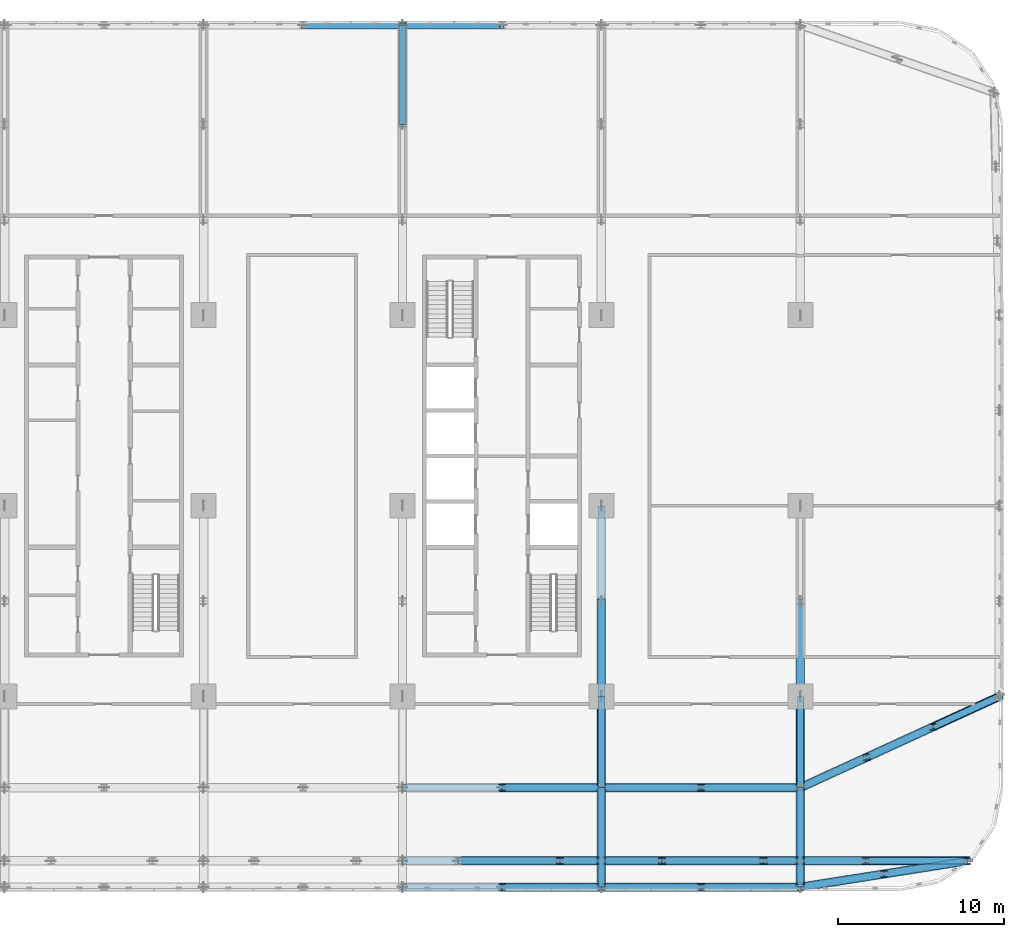
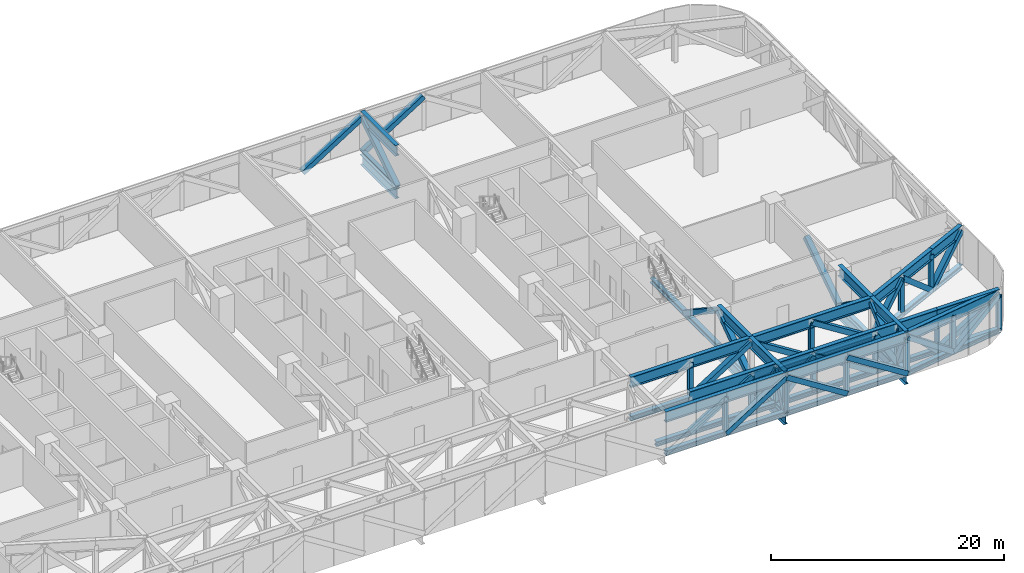
# One storey, part 7 of 26: 76 members, 5 beams.
"""IFC4 building model written with IfcOpenShell, lengths in metres."""

from ifc_helpers import new_model, si_unit, direction, frame, origin, origin_2d, place, context, subcontext, project, spatial, hollow_rectangle, i_section, extrude, material, material_profile, profile_set, type_object, element, save


model = new_model("IFC4")

# Units and contexts
model_context = context("Model", 3, precision=1e-05, world=origin(), true_north=direction((0.0, 1.0)))
body_context = subcontext(model_context, "Body", "Model", "MODEL_VIEW")
ifc_project = project(units=[si_unit("LENGTHUNIT", "METRE"), si_unit("AREAUNIT", "SQUARE_METRE"), si_unit("VOLUMEUNIT", "CUBIC_METRE"), si_unit("PLANEANGLEUNIT", "RADIAN"), si_unit("MASSUNIT", "GRAM", prefix="KILO")], contexts=[model_context])

# Site, building, storey
site_placement = place(None, origin())
site = spatial("IfcSite", under=ifc_project, at=site_placement, CompositionType="ELEMENT")
building_placement = place(site_placement, origin())
building = spatial("IfcBuilding", under=site, at=building_placement, Name="Mahtab Terrace Research Tower", CompositionType="ELEMENT")
storey_placement = place(building_placement, frame((0.0, 0.0, 80.39990234375)))
storey = spatial("IfcBuildingStorey", under=building, at=storey_placement, Name="L18", CompositionType="ELEMENT", Elevation=80.39990234375)

# Members
ifc_material_1 = material(Name="Steel ASTM A500 Gr C", Category="steel")
ifc_material_profile_1 = material_profile(ifc_material_1, hollow_rectangle(XDim=0.508056640625, YDim=0.508056640625, WallThickness=0.01904296875, at=origin_2d()), Name="HSS20X20X3/4")
ifc_profile_set_1 = profile_set([ifc_material_profile_1], Name="Steel ASTM A500 Gr C")
member_type_1 = type_object("IfcMemberType", Name="HSS 20x20x3/4 brace TD202034", PredefinedType="BRACE", material=ifc_profile_set_1)
for number, where, z_axis, x_axis, name in (
    (1, (18.0, 23.0, -0.29345703125), (0.0, 0.845157783708, 0.534516903978), (-1.0, 0.0, 0.0), "Transfer truss T2 diagonal 093"),
    (2, (12.0, 29.0, -0.29345703125), (0.845157783708, 0.0, 0.534516903978), (0.0, 1.0, 0.0), "Transfer truss T2 diagonal 094"),
):
    element("IfcMember", number, at=place(storey_placement, frame(where, z_axis=z_axis, x_axis=x_axis)), inside=storey, type_object=member_type_1, Name=name, PredefinedType="BRACE", context=body_context, shape_type="SweptSolid", body=[
        extrude(hollow_rectangle(XDim=0.508056640625, YDim=0.508056640625, WallThickness=0.01904296875, at=origin_2d()), origin(), (0.0, 0.0, 1.0), 7.099365234375),
    ])
member_1_placement = place(storey_placement, frame((21.35400390625, -21.416015625, -0.29345703125), z_axis=(0.850733959418, 0.0, 0.525596547072), x_axis=(0.0, 1.0, 0.0)))
element("IfcMember", 3, at=member_1_placement, inside=storey, type_object=member_type_1, Name="Transfer truss T2 diagonal 095", PredefinedType="BRACE", context=body_context, shape_type="SweptSolid", body=[
    extrude(hollow_rectangle(XDim=0.508056640625, YDim=0.508056640625, WallThickness=0.01904296875, at=origin_2d()), origin(), (0.0, 0.0, 1.0), 7.2197265625),
])
for number, where, z_axis, x_axis, name in (
    (4, (24.0, -17.0, -0.29345703125), (0.845157783708, 0.0, 0.534516903978), (0.0, 1.0, 0.0), "Transfer truss T2 diagonal 097"),
    (5, (18.0, 29.0, -0.29345703125), (0.845157783708, 0.0, 0.534516903978), (0.0, 1.0, 0.0), "Transfer truss T2 diagonal 098"),
):
    element("IfcMember", number, at=place(storey_placement, frame(where, z_axis=z_axis, x_axis=x_axis)), inside=storey, type_object=member_type_1, Name=name, PredefinedType="BRACE", context=body_context, shape_type="SweptSolid", body=[
        extrude(hollow_rectangle(XDim=0.508056640625, YDim=0.508056640625, WallThickness=0.01904296875, at=origin_2d()), origin(), (0.0, 0.0, 1.0), 7.099365234375),
    ])
member_2_placement = place(storey_placement, frame((27.49609375, -21.416015625, -0.29345703125), z_axis=(0.550753178039, 0.0, 0.834668159737), x_axis=(0.0, 1.0, 0.0)))
element("IfcMember", 6, at=member_2_placement, inside=storey, type_object=member_type_1, Name="Transfer truss T2 diagonal 099", PredefinedType="BRACE", context=body_context, shape_type="SweptSolid", body=[
    extrude(hollow_rectangle(XDim=0.508056640625, YDim=0.508056640625, WallThickness=0.01904296875, at=origin_2d()), origin(), (0.0, 0.0, 1.0), 4.54638671875),
])
member_3_placement = place(storey_placement, frame((24.0, -23.0, -0.29345703125), z_axis=(0.845157783708, 0.0, 0.534516903978), x_axis=(0.0, 1.0, 0.0)))
element("IfcMember", 7, at=member_3_placement, inside=storey, type_object=member_type_1, Name="Transfer truss T2 diagonal 100", PredefinedType="BRACE", context=body_context, shape_type="SweptSolid", body=[
    extrude(hollow_rectangle(XDim=0.508056640625, YDim=0.508056640625, WallThickness=0.01904296875, at=origin_2d()), origin(), (0.0, 0.0, 1.0), 7.099365234375),
])
member_4_placement = place(storey_placement, frame((30.0, -23.0, -0.29345703125), z_axis=(0.0, 0.385209733972, 0.922829052887), x_axis=(-1.0, 0.0, 0.0)))
element("IfcMember", 8, at=member_4_placement, inside=storey, type_object=member_type_1, Name="Transfer truss T2 diagonal 101", PredefinedType="BRACE", context=body_context, shape_type="SweptSolid", body=[
    extrude(hollow_rectangle(XDim=0.508056640625, YDim=0.508056640625, WallThickness=0.01904296875, at=origin_2d()), origin(), (0.0, 0.0, 1.0), 4.112060546875),
])
member_5_placement = place(storey_placement, frame((30.0, -17.0, -0.29345703125), z_axis=(0.0, -0.75844798203, 0.651733579428), x_axis=(1.0, 0.0, 0.0)))
element("IfcMember", 9, at=member_5_placement, inside=storey, type_object=member_type_1, Name="Transfer truss T2 diagonal 102", PredefinedType="BRACE", context=body_context, shape_type="SweptSolid", body=[
    extrude(hollow_rectangle(XDim=0.508056640625, YDim=0.508056640625, WallThickness=0.01904296875, at=origin_2d()), origin(), (0.0, 0.0, 1.0), 5.822509765625),
])
member_6_placement = place(storey_placement, frame((30.0, -21.416015625, -0.29345703125), z_axis=(0.6919447069, 0.0, 0.721950498714), x_axis=(0.0, 1.0, 0.0)))
element("IfcMember", 10, at=member_6_placement, inside=storey, type_object=member_type_1, Name="Transfer truss T2 diagonal 103", PredefinedType="BRACE", context=body_context, shape_type="SweptSolid", body=[
    extrude(hollow_rectangle(XDim=0.508056640625, YDim=0.508056640625, WallThickness=0.01904296875, at=origin_2d()), origin(), (0.0, 0.0, 1.0), 5.256103515625),
])
member_7_placement = place(storey_placement, frame((36.0, -17.0, -0.29345703125), z_axis=(-0.845157783708, 0.0, 0.534516903978), x_axis=(0.0, -1.0, 0.0)))
element("IfcMember", 11, at=member_7_placement, inside=storey, type_object=member_type_1, Name="Transfer truss T2 diagonal 104", PredefinedType="BRACE", context=body_context, shape_type="SweptSolid", body=[
    extrude(hollow_rectangle(XDim=0.508056640625, YDim=0.508056640625, WallThickness=0.01904296875, at=origin_2d()), origin(), (0.0, 0.0, 1.0), 7.099365234375),
])
member_8_placement = place(storey_placement, frame((30.0, -17.0, -0.29345703125), z_axis=(0.0, 0.82310265931, 0.567892606253), x_axis=(-1.0, 0.0, 0.0)))
element("IfcMember", 12, at=member_8_placement, inside=storey, type_object=member_type_1, Name="Transfer truss T2 diagonal 105", PredefinedType="BRACE", context=body_context, shape_type="SweptSolid", body=[
    extrude(hollow_rectangle(XDim=0.508056640625, YDim=0.508056640625, WallThickness=0.01904296875, at=origin_2d()), origin(), (0.0, 0.0, 1.0), 6.68212890625),
])
member_9_placement = place(storey_placement, frame((30.0, -5.75, -0.29345703125), z_axis=(0.0, -0.834630911502, 0.550809623704), x_axis=(1.0, 0.0, 0.0)))
element("IfcMember", 13, at=member_9_placement, inside=storey, type_object=member_type_1, Name="Transfer truss T2 diagonal 106", PredefinedType="BRACE", context=body_context, shape_type="SweptSolid", body=[
    extrude(hollow_rectangle(XDim=0.508056640625, YDim=0.508056640625, WallThickness=0.01904296875, at=origin_2d()), origin(), (0.0, 0.0, 1.0), 6.88916015625),
])
member_10_placement = place(storey_placement, frame((39.779052734375, -21.416015625, -0.29345703125), z_axis=(-0.850733959418, 0.0, 0.525596547072), x_axis=(0.0, -1.0, 0.0)))
element("IfcMember", 14, at=member_10_placement, inside=storey, type_object=member_type_1, Name="Transfer truss T2 diagonal 112", PredefinedType="BRACE", context=body_context, shape_type="SweptSolid", body=[
    extrude(hollow_rectangle(XDim=0.508056640625, YDim=0.508056640625, WallThickness=0.01904296875, at=origin_2d()), origin(), (0.0, 0.0, 1.0), 7.2197265625),
])
for number, where, z_axis, x_axis, name in (
    (15, (36.0, -23.0, -0.29345703125), (-0.845157783708, 0.0, 0.534516903978), (0.0, -1.0, 0.0), "Transfer truss T2 diagonal 113"),
    (16, (42.0, -17.0, -0.29345703125), (-0.845157783708, 0.0, 0.534516903978), (0.0, -1.0, 0.0), "Transfer truss T2 diagonal 114"),
):
    element("IfcMember", number, at=place(storey_placement, frame(where, z_axis=z_axis, x_axis=x_axis)), inside=storey, type_object=member_type_1, Name=name, PredefinedType="BRACE", context=body_context, shape_type="SweptSolid", body=[
        extrude(hollow_rectangle(XDim=0.508056640625, YDim=0.508056640625, WallThickness=0.01904296875, at=origin_2d()), origin(), (0.0, 0.0, 1.0), 7.099365234375),
    ])
member_11_placement = place(storey_placement, frame((42.0, -21.416015625, -0.29345703125), z_axis=(-0.505123723322, 0.0, 0.863046942024), x_axis=(0.0, -1.0, 0.0)))
element("IfcMember", 17, at=member_11_placement, inside=storey, type_object=member_type_1, Name="Transfer truss T2 diagonal 116", PredefinedType="BRACE", context=body_context, shape_type="SweptSolid", body=[
    extrude(hollow_rectangle(XDim=0.508056640625, YDim=0.508056640625, WallThickness=0.01904296875, at=origin_2d()), origin(), (0.0, 0.0, 1.0), 4.396728515625),
])
member_12_placement = place(storey_placement, frame((42.0, -23.0, -0.29345703125), z_axis=(-0.845157783708, 0.0, 0.534516903978), x_axis=(0.0, -1.0, 0.0)))
element("IfcMember", 18, at=member_12_placement, inside=storey, type_object=member_type_1, Name="Transfer truss T2 diagonal 117", PredefinedType="BRACE", context=body_context, shape_type="SweptSolid", body=[
    extrude(hollow_rectangle(XDim=0.508056640625, YDim=0.508056640625, WallThickness=0.01904296875, at=origin_2d()), origin(), (0.0, 0.0, 1.0), 7.099365234375),
])
member_13_placement = place(storey_placement, frame((42.0, -21.416015625, -0.29345703125), z_axis=(0.0, -0.385209733972, 0.922829052887), x_axis=(1.0, 0.0, 0.0)))
element("IfcMember", 19, at=member_13_placement, inside=storey, type_object=member_type_1, Name="Transfer truss T2 diagonal 118", PredefinedType="BRACE", context=body_context, shape_type="SweptSolid", body=[
    extrude(hollow_rectangle(XDim=0.508056640625, YDim=0.508056640625, WallThickness=0.01904296875, at=origin_2d()), origin(), (0.0, 0.0, 1.0), 4.112060546875),
])
member_14_placement = place(storey_placement, frame((42.0, -21.416015625, -0.29345703125), z_axis=(0.0, 0.75844798203, 0.651733579428), x_axis=(-1.0, 0.0, 0.0)))
element("IfcMember", 20, at=member_14_placement, inside=storey, type_object=member_type_1, Name="Transfer truss T2 diagonal 119", PredefinedType="BRACE", context=body_context, shape_type="SweptSolid", body=[
    extrude(hollow_rectangle(XDim=0.508056640625, YDim=0.508056640625, WallThickness=0.01904296875, at=origin_2d()), origin(), (0.0, 0.0, 1.0), 5.822509765625),
])
member_15_placement = place(storey_placement, frame((45.919921875, -21.416015625, -0.29345703125), z_axis=(-0.718491762792, 0.0, 0.69553546768), x_axis=(0.0, -1.0, 0.0)))
element("IfcMember", 21, at=member_15_placement, inside=storey, type_object=member_type_1, Name="Transfer truss T2 diagonal 120", PredefinedType="BRACE", context=body_context, shape_type="SweptSolid", body=[
    extrude(hollow_rectangle(XDim=0.508056640625, YDim=0.508056640625, WallThickness=0.01904296875, at=origin_2d()), origin(), (0.0, 0.0, 1.0), 5.455810546875),
])
member_16_placement = place(storey_placement, frame((42.0, -17.0, -0.29345703125), z_axis=(0.688433521991, 0.315476006049, 0.653095839374), x_axis=(-0.416593570775, 0.909092842777, 0.0)))
element("IfcMember", 22, at=member_16_placement, inside=storey, type_object=member_type_1, Name="Transfer truss T2 diagonal 121", PredefinedType="BRACE", context=body_context, shape_type="SweptSolid", body=[
    extrude(hollow_rectangle(XDim=0.508056640625, YDim=0.508056640625, WallThickness=0.01904296875, at=origin_2d()), origin(), (0.0, 0.0, 1.0), 5.810302734375),
])
member_17_placement = place(storey_placement, frame((42.0, -11.5, -0.29345703125), z_axis=(0.0, -0.82310265931, 0.567892606253), x_axis=(1.0, 0.0, 0.0)))
element("IfcMember", 23, at=member_17_placement, inside=storey, type_object=member_type_1, Name="Transfer truss T2 diagonal 122", PredefinedType="BRACE", context=body_context, shape_type="SweptSolid", body=[
    extrude(hollow_rectangle(XDim=0.508056640625, YDim=0.508056640625, WallThickness=0.01904296875, at=origin_2d()), origin(), (0.0, 0.0, 1.0), 6.68212890625),
])
member_18_placement = place(storey_placement, frame((42.0, -11.5, -0.29345703125), z_axis=(0.0, 0.834630911502, 0.550809623704), x_axis=(-1.0, 0.0, 0.0)))
element("IfcMember", 24, at=member_18_placement, inside=storey, type_object=member_type_1, Name="Transfer truss T2 diagonal 123", PredefinedType="BRACE", context=body_context, shape_type="SweptSolid", body=[
    extrude(hollow_rectangle(XDim=0.508056640625, YDim=0.508056640625, WallThickness=0.01904296875, at=origin_2d()), origin(), (0.0, 0.0, 1.0), 6.88916015625),
])
member_19_placement = place(storey_placement, frame((45.919921875, -21.416015625, -0.29345703125), z_axis=(0.850733959418, 0.0, 0.525596547072), x_axis=(0.0, 1.0, 0.0)))
element("IfcMember", 25, at=member_19_placement, inside=storey, type_object=member_type_1, Name="Transfer truss T2 diagonal 129", PredefinedType="BRACE", context=body_context, shape_type="SweptSolid", body=[
    extrude(hollow_rectangle(XDim=0.508056640625, YDim=0.508056640625, WallThickness=0.01904296875, at=origin_2d()), origin(), (0.0, 0.0, 1.0), 7.2197265625),
])
member_20_placement = place(storey_placement, frame((50.0, -13.3330078125, -0.29345703125), z_axis=(-0.688397012016, -0.315627340959, 0.653061203477), x_axis=(0.41677697297, -0.909008775976, 0.0)))
element("IfcMember", 26, at=member_20_placement, inside=storey, type_object=member_type_1, Name="Transfer truss T2 diagonal 130", PredefinedType="BRACE", context=body_context, shape_type="SweptSolid", body=[
    extrude(hollow_rectangle(XDim=0.508056640625, YDim=0.508056640625, WallThickness=0.01904296875, at=origin_2d()), origin(), (0.0, 0.0, 1.0), 5.810546875),
])
member_21_placement = place(storey_placement, frame((47.031005859375, -22.2080078125, -0.29345703125), z_axis=(-0.79213361986, -0.124699444986, 0.597473327194), x_axis=(0.155507156777, -0.987834765632, 0.0)))
element("IfcMember", 27, at=member_21_placement, inside=storey, type_object=member_type_1, Name="Transfer truss T2 diagonal 131", PredefinedType="BRACE", context=body_context, shape_type="SweptSolid", body=[
    extrude(hollow_rectangle(XDim=0.508056640625, YDim=0.508056640625, WallThickness=0.01904296875, at=origin_2d()), origin(), (0.0, 0.0, 1.0), 6.351318359375),
])
member_22_placement = place(storey_placement, frame((50.0, -13.3330078125, -0.29345703125), z_axis=(0.688433521991, 0.315476006049, 0.653095839374), x_axis=(-0.416593570775, 0.909092842777, 0.0)))
element("IfcMember", 28, at=member_22_placement, inside=storey, type_object=member_type_1, Name="Transfer truss T2 diagonal 133", PredefinedType="BRACE", context=body_context, shape_type="SweptSolid", body=[
    extrude(hollow_rectangle(XDim=0.508056640625, YDim=0.508056640625, WallThickness=0.01904296875, at=origin_2d()), origin(), (0.0, 0.0, 1.0), 5.810302734375),
])
member_23_placement = place(storey_placement, frame((47.031005859375, -22.2080078125, -0.29345703125), z_axis=(0.79213361986, 0.124699444986, 0.597473327194), x_axis=(-0.155507156777, 0.987834765632, 0.0)))
element("IfcMember", 29, at=member_23_placement, inside=storey, type_object=member_type_1, Name="Transfer truss T2 diagonal 134", PredefinedType="BRACE", context=body_context, shape_type="SweptSolid", body=[
    extrude(hollow_rectangle(XDim=0.508056640625, YDim=0.508056640625, WallThickness=0.01904296875, at=origin_2d()), origin(), (0.0, 0.0, 1.0), 6.351318359375),
])
ifc_material_2 = material(Name="Steel ASTM A992 Gr 50", Category="steel")
ifc_material_profile_2 = material_profile(ifc_material_2, i_section(OverallWidth=0.398681640625, OverallDepth=0.393798828125, WebThickness=0.022705078125, FlangeThickness=0.03662109375, at=origin_2d()), Name="W14X193")
ifc_profile_set_2 = profile_set([ifc_material_profile_2], Name="Steel ASTM A992 Gr 50")
member_type_2 = type_object("IfcMemberType", Name="W14x193 post TP14193", PredefinedType="POST", material=ifc_profile_set_2)
for number, where, z_axis, x_axis, name in (
    (30, (24.0, -23.0, -0.29345703125), (0.0, 0.0, 1.0), (1.0, 0.0, 0.0), "Transfer truss T2 post 086"),
    (31, (24.0, -17.0, -0.29345703125), (0.0, 0.0, 1.0), (1.0, 0.0, 0.0), "Transfer truss T2 post 087"),
    (32, (27.5, -21.419921875, -0.29345703125), (0.0, 0.0, 1.0), (1.0, 0.0, 0.0), "Transfer truss T2 post 089"),
    (33, (30.0, -23.0, -0.29345703125), (0.0, 0.0, 1.0), (1.0, 0.0, 0.0), "Transfer truss T2 post 090"),
    (34, (30.0, -21.419921875, -0.29345703125), (0.0, 0.0, 1.0), (1.0, 0.0, 0.0), "Transfer truss T2 post 091"),
    (35, (33.639892578125, -21.419921875, -0.29345703125), (0.0, 0.0, 1.0), (1.0, 0.0, 0.0), "Transfer truss T2 post 100"),
    (36, (36.0, -23.0, -0.29345703125), (0.0, 0.0, 1.0), (1.0, 0.0, 0.0), "Transfer truss T2 post 101"),
    (37, (36.0, -17.0, -0.29345703125), (0.0, 0.0, 1.0), (1.0, 0.0, 0.0), "Transfer truss T2 post 102"),
    (38, (39.780029296875, -21.419921875, -0.29345703125), (0.0, 0.0, 1.0), (1.0, 0.0, 0.0), "Transfer truss T2 post 104"),
    (39, (42.0, -23.0, -0.29345703125), (0.0, 0.0, 1.0), (1.0, 0.0, 0.0), "Transfer truss T2 post 105"),
    (40, (42.0, -21.419921875, -0.29345703125), (0.0, 0.0, 1.0), (1.0, 0.0, 0.0), "Transfer truss T2 post 106"),
    (41, (45.919921875, -21.419921875, -0.29345703125), (0.0, 0.0, 1.0), (1.0, 0.0, 0.0), "Transfer truss T2 post 115"),
    (42, (46.0, -15.169921875, -0.29345703125), (0.0, 0.0, 1.0), (1.0, 0.0, 0.0), "Transfer truss T2 post 116"),
    (43, (47.030029296875, -22.2099609375, -0.29345703125), (0.0, 0.0, 1.0), (1.0, 0.0, 0.0), "Transfer truss T2 post 117"),
    (44, (50.0, -13.330078125, -0.29345703125), (0.0, 0.0, 1.0), (1.0, 0.0, 0.0), "Transfer truss T2 post 119"),
    (45, (52.06005859375, -21.419921875, -0.29345703125), (0.0, 0.0, 1.0), (1.0, 0.0, 0.0), "Transfer truss T2 post 120"),
):
    element("IfcMember", number, at=place(storey_placement, frame(where, z_axis=z_axis, x_axis=x_axis)), inside=storey, type_object=member_type_2, Name=name, PredefinedType="POST", context=body_context, shape_type="SweptSolid", body=[
        extrude(i_section(OverallWidth=0.398681640625, OverallDepth=0.393798828125, WebThickness=0.022705078125, FlangeThickness=0.03662109375, at=origin_2d()), origin(), (0.0, 0.0, 1.0), 3.794677734375),
    ])
ifc_material_profile_3 = material_profile(ifc_material_2, i_section(OverallWidth=0.43701171875, OverallDepth=0.51318359375, WebThickness=0.060546875, FlangeThickness=0.096923828125, at=origin_2d()), Name="W14X550")
ifc_profile_set_3 = profile_set([ifc_material_profile_3], Name="Steel ASTM A992 Gr 50")
member_type_3 = type_object("IfcMemberType", Name="W14x550 chord TC14550", PredefinedType="CHORD", material=ifc_profile_set_3)
for number, where, z_axis, x_axis, name in (
    (46, (18.0, -21.416015625, -0.29345703125), (1.0, 0.0, 0.0), (0.0, 1.0, 0.0), "Transfer truss T2 bottom chord 014"),
    (47, (30.0, -21.416015625, -0.29345703125), (1.0, 0.0, 0.0), (0.0, 1.0, 0.0), "Transfer truss T2 bottom chord 015"),
):
    element("IfcMember", number, at=place(storey_placement, frame(where, z_axis=z_axis, x_axis=x_axis)), inside=storey, type_object=member_type_3, Name=name, PredefinedType="CHORD", context=body_context, shape_type="SweptSolid", body=[
        extrude(i_section(OverallWidth=0.43701171875, OverallDepth=0.51318359375, WebThickness=0.060546875, FlangeThickness=0.096923828125, at=origin_2d()), origin(), (0.0, 0.0, 1.0), 12.0),
    ])
member_24_placement = place(storey_placement, frame((42.0, -21.416015625, -0.29345703125), z_axis=(1.0, 0.0, 0.0), x_axis=(0.0, 1.0, 0.0)))
element("IfcMember", 48, at=member_24_placement, inside=storey, type_object=member_type_3, Name="Transfer truss T2 bottom chord 016", PredefinedType="CHORD", context=body_context, shape_type="SweptSolid", body=[
    extrude(i_section(OverallWidth=0.43701171875, OverallDepth=0.51318359375, WebThickness=0.060546875, FlangeThickness=0.096923828125, at=origin_2d()), origin(), (0.0, 0.0, 1.0), 10.06201171875),
])
for number, where, z_axis, x_axis, name in (
    (49, (42.0, -23.0, -0.29345703125), (-1.0, 0.0, 0.0), (0.0, -1.0, 0.0), "Transfer truss T2 bottom chord 021"),
    (50, (30.0, -23.0, -0.29345703125), (-1.0, 0.0, 0.0), (0.0, -1.0, 0.0), "Transfer truss T2 bottom chord 022"),
    (51, (18.0, -17.0, -0.29345703125), (1.0, 0.0, 0.0), (0.0, 1.0, 0.0), "Transfer truss T2 bottom chord 031"),
    (52, (30.0, -17.0, -0.29345703125), (1.0, 0.0, 0.0), (0.0, 1.0, 0.0), "Transfer truss T2 bottom chord 032"),
):
    element("IfcMember", number, at=place(storey_placement, frame(where, z_axis=z_axis, x_axis=x_axis)), inside=storey, type_object=member_type_3, Name=name, PredefinedType="CHORD", context=body_context, shape_type="SweptSolid", body=[
        extrude(i_section(OverallWidth=0.43701171875, OverallDepth=0.51318359375, WebThickness=0.060546875, FlangeThickness=0.096923828125, at=origin_2d()), origin(), (0.0, 0.0, 1.0), 12.0),
    ])
for number, where, z_axis, x_axis, name in (
    (53, (18.0, 23.0, -0.29345703125), (0.0, 1.0, 0.0), (-1.0, 0.0, 0.0), "Transfer truss T2 bottom chord 060"),
    (54, (30.0, -23.0, -0.29345703125), (0.0, 1.0, 0.0), (-1.0, 0.0, 0.0), "Transfer truss T2 bottom chord 061"),
):
    element("IfcMember", number, at=place(storey_placement, frame(where, z_axis=z_axis, x_axis=x_axis)), inside=storey, type_object=member_type_3, Name=name, PredefinedType="CHORD", context=body_context, shape_type="SweptSolid", body=[
        extrude(i_section(OverallWidth=0.43701171875, OverallDepth=0.51318359375, WebThickness=0.060546875, FlangeThickness=0.096923828125, at=origin_2d()), origin(), (0.0, 0.0, 1.0), 6.0),
    ])
member_25_placement = place(storey_placement, frame((30.0, -17.0, -0.29345703125), z_axis=(0.0, 1.0, 0.0), x_axis=(-1.0, 0.0, 0.0)))
element("IfcMember", 55, at=member_25_placement, inside=storey, type_object=member_type_3, Name="Transfer truss T2 bottom chord 062", PredefinedType="CHORD", context=body_context, shape_type="SweptSolid", body=[
    extrude(i_section(OverallWidth=0.43701171875, OverallDepth=0.51318359375, WebThickness=0.060546875, FlangeThickness=0.096923828125, at=origin_2d()), origin(), (0.0, 0.0, 1.0), 5.5),
])
member_26_placement = place(storey_placement, frame((30.0, -11.5, -0.29345703125), z_axis=(0.0, 1.0, 0.0), x_axis=(-1.0, 0.0, 0.0)))
element("IfcMember", 56, at=member_26_placement, inside=storey, type_object=member_type_3, Name="Transfer truss T2 bottom chord 063", PredefinedType="CHORD", context=body_context, shape_type="SweptSolid", body=[
    extrude(i_section(OverallWidth=0.43701171875, OverallDepth=0.51318359375, WebThickness=0.060546875, FlangeThickness=0.096923828125, at=origin_2d()), origin(), (0.0, 0.0, 1.0), 11.5),
])
member_27_placement = place(storey_placement, frame((42.0, -23.0, -0.29345703125), z_axis=(0.0, 1.0, 0.0), x_axis=(-1.0, 0.0, 0.0)))
element("IfcMember", 57, at=member_27_placement, inside=storey, type_object=member_type_3, Name="Transfer truss T2 bottom chord 066", PredefinedType="CHORD", context=body_context, shape_type="SweptSolid", body=[
    extrude(i_section(OverallWidth=0.43701171875, OverallDepth=0.51318359375, WebThickness=0.060546875, FlangeThickness=0.096923828125, at=origin_2d()), origin(), (0.0, 0.0, 1.0), 6.0),
])
member_28_placement = place(storey_placement, frame((42.0, -17.0, -0.29345703125), z_axis=(0.0, 1.0, 0.0), x_axis=(-1.0, 0.0, 0.0)))
element("IfcMember", 58, at=member_28_placement, inside=storey, type_object=member_type_3, Name="Transfer truss T2 bottom chord 067", PredefinedType="CHORD", context=body_context, shape_type="SweptSolid", body=[
    extrude(i_section(OverallWidth=0.43701171875, OverallDepth=0.51318359375, WebThickness=0.060546875, FlangeThickness=0.096923828125, at=origin_2d()), origin(), (0.0, 0.0, 1.0), 5.5),
])
member_29_placement = place(storey_placement, frame((52.06201171875, -21.416015625, -0.29345703125), z_axis=(-0.987834765632, -0.155507156777, 0.0), x_axis=(0.155507156777, -0.987834765632, 0.0)))
element("IfcMember", 59, at=member_29_placement, inside=storey, type_object=member_type_3, Name="Transfer truss T2 bottom chord 069", PredefinedType="CHORD", context=body_context, shape_type="SweptSolid", body=[
    extrude(i_section(OverallWidth=0.43701171875, OverallDepth=0.51318359375, WebThickness=0.060546875, FlangeThickness=0.096923828125, at=origin_2d()), origin(), (0.0, 0.0, 1.0), 10.18603515625),
])
member_30_placement = place(storey_placement, frame((42.0, -17.0, -0.29345703125), z_axis=(0.909050812059, 0.416685278232, 0.0), x_axis=(-0.416685278232, 0.909050812059, 0.0)))
element("IfcMember", 60, at=member_30_placement, inside=storey, type_object=member_type_3, Name="Transfer truss T2 bottom chord 070", PredefinedType="CHORD", context=body_context, shape_type="SweptSolid", body=[
    extrude(i_section(OverallWidth=0.43701171875, OverallDepth=0.51318359375, WebThickness=0.060546875, FlangeThickness=0.096923828125, at=origin_2d()), origin(), (0.0, 0.0, 1.0), 8.80029296875),
])
member_31_placement = place(storey_placement, frame((50.0, -13.3330078125, -0.29345703125), z_axis=(0.909092842777, 0.416593570775, 0.0), x_axis=(-0.416593570775, 0.909092842777, 0.0)))
element("IfcMember", 61, at=member_31_placement, inside=storey, type_object=member_type_3, Name="Transfer truss T2 bottom chord 071", PredefinedType="CHORD", context=body_context, shape_type="SweptSolid", body=[
    extrude(i_section(OverallWidth=0.43701171875, OverallDepth=0.51318359375, WebThickness=0.060546875, FlangeThickness=0.096923828125, at=origin_2d()), origin(), (0.0, 0.0, 1.0), 4.39990234375),
])

# Beams
ifc_material_profile_4 = material_profile(ifc_material_2, i_section(OverallWidth=0.4013671875, OverallDepth=1.000732421875, WebThickness=0.01904296875, FlangeThickness=0.0361328125, at=origin_2d()), Name="W40X249")
ifc_profile_set_4 = profile_set([ifc_material_profile_4], Name="Steel ASTM A992 Gr 50")
beam_type = type_object("IfcBeamType", Name="W40x249 transfer girder TG40249", PredefinedType="BEAM", material=ifc_profile_set_4)
for number, where, z_axis, x_axis, name in (
    (62, (18.0, 23.0, -1.04833984375), (0.0, 1.0, 0.0), (-1.0, 0.0, 0.0), "Transfer girder T2 06"),
    (63, (30.0, -23.0, -1.04833984375), (0.0, 1.0, 0.0), (-1.0, 0.0, 0.0), "Transfer girder T2 30"),
):
    element("IfcBeam", number, at=place(storey_placement, frame(where, z_axis=z_axis, x_axis=x_axis)), inside=storey, type_object=beam_type, Name=name, PredefinedType="BEAM", context=body_context, shape_type="SweptSolid", body=[
        extrude(i_section(OverallWidth=0.4013671875, OverallDepth=1.000732421875, WebThickness=0.01904296875, FlangeThickness=0.0361328125, at=origin_2d()), origin(), (0.0, 0.0, 1.0), 6.0),
    ])
beam_1_placement = place(storey_placement, frame((30.0, -17.0, -1.04833984375), z_axis=(0.0, 1.0, 0.0), x_axis=(-1.0, 0.0, 0.0)))
element("IfcBeam", 64, at=beam_1_placement, inside=storey, type_object=beam_type, Name="Transfer girder T2 31", PredefinedType="BEAM", context=body_context, shape_type="SweptSolid", body=[
    extrude(i_section(OverallWidth=0.4013671875, OverallDepth=1.000732421875, WebThickness=0.01904296875, FlangeThickness=0.0361328125, at=origin_2d()), origin(), (0.0, 0.0, 1.0), 5.5),
])
beam_2_placement = place(storey_placement, frame((42.0, -23.0, -1.04833984375), z_axis=(0.0, 1.0, 0.0), x_axis=(-1.0, 0.0, 0.0)))
element("IfcBeam", 65, at=beam_2_placement, inside=storey, type_object=beam_type, Name="Transfer girder T2 33", PredefinedType="BEAM", context=body_context, shape_type="SweptSolid", body=[
    extrude(i_section(OverallWidth=0.4013671875, OverallDepth=1.000732421875, WebThickness=0.01904296875, FlangeThickness=0.0361328125, at=origin_2d()), origin(), (0.0, 0.0, 1.0), 6.0),
])
beam_3_placement = place(storey_placement, frame((42.0, -17.0, -1.04833984375), z_axis=(0.0, 1.0, 0.0), x_axis=(-1.0, 0.0, 0.0)))
element("IfcBeam", 66, at=beam_3_placement, inside=storey, type_object=beam_type, Name="Transfer girder T2 34", PredefinedType="BEAM", context=body_context, shape_type="SweptSolid", body=[
    extrude(i_section(OverallWidth=0.4013671875, OverallDepth=1.000732421875, WebThickness=0.01904296875, FlangeThickness=0.0361328125, at=origin_2d()), origin(), (0.0, 0.0, 1.0), 5.5),
])

# Members
ifc_material_profile_5 = material_profile(ifc_material_2, i_section(OverallWidth=0.40380859375, OverallDepth=1.11767578125, WebThickness=0.026123046875, FlangeThickness=0.044921875, at=origin_2d()), Name="W44X335")
ifc_profile_set_5 = profile_set([ifc_material_profile_5], Name="Steel ASTM A992 Gr 50")
member_type_4 = type_object("IfcMemberType", Name="W44x335 chord TT44335", PredefinedType="CHORD", material=ifc_profile_set_5)
for number, where, z_axis, x_axis, name in (
    (67, (21.35400390625, -21.416015625, 3.501220703125), (1.0, 0.0, 0.0), (0.0, 1.0, 0.0), "Transfer truss T2 top chord 013"),
    (68, (33.636962890625, -21.416015625, 3.501220703125), (1.0, 0.0, 0.0), (0.0, 1.0, 0.0), "Transfer truss T2 top chord 014"),
):
    element("IfcMember", number, at=place(storey_placement, frame(where, z_axis=z_axis, x_axis=x_axis)), inside=storey, type_object=member_type_4, Name=name, PredefinedType="CHORD", context=body_context, shape_type="SweptSolid", body=[
        extrude(i_section(OverallWidth=0.40380859375, OverallDepth=1.11767578125, WebThickness=0.026123046875, FlangeThickness=0.044921875, at=origin_2d()), origin(), (0.0, 0.0, 1.0), 12.282958984375),
    ])
member_32_placement = place(storey_placement, frame((45.919921875, -21.416015625, 3.501220703125), z_axis=(1.0, 0.0, 0.0), x_axis=(0.0, 1.0, 0.0)))
element("IfcMember", 69, at=member_32_placement, inside=storey, type_object=member_type_4, Name="Transfer truss T2 top chord 015", PredefinedType="CHORD", context=body_context, shape_type="SweptSolid", body=[
    extrude(i_section(OverallWidth=0.40380859375, OverallDepth=1.11767578125, WebThickness=0.026123046875, FlangeThickness=0.044921875, at=origin_2d()), origin(), (0.0, 0.0, 1.0), 6.14208984375),
])
for number, where, z_axis, x_axis, name in (
    (70, (42.0, -23.0, 3.501220703125), (-1.0, 0.0, 0.0), (0.0, -1.0, 0.0), "Transfer truss T2 top chord 020"),
    (71, (30.0, -23.0, 3.501220703125), (-1.0, 0.0, 0.0), (0.0, -1.0, 0.0), "Transfer truss T2 top chord 021"),
    (72, (18.0, -17.0, 3.501220703125), (1.0, 0.0, 0.0), (0.0, 1.0, 0.0), "Transfer truss T2 top chord 030"),
    (73, (30.0, -17.0, 3.501220703125), (1.0, 0.0, 0.0), (0.0, 1.0, 0.0), "Transfer truss T2 top chord 031"),
):
    element("IfcMember", number, at=place(storey_placement, frame(where, z_axis=z_axis, x_axis=x_axis)), inside=storey, type_object=member_type_4, Name=name, PredefinedType="CHORD", context=body_context, shape_type="SweptSolid", body=[
        extrude(i_section(OverallWidth=0.40380859375, OverallDepth=1.11767578125, WebThickness=0.026123046875, FlangeThickness=0.044921875, at=origin_2d()), origin(), (0.0, 0.0, 1.0), 12.0),
    ])
for number, where, z_axis, x_axis, name in (
    (74, (18.0, 23.0, 3.501220703125), (0.0, 1.0, 0.0), (-1.0, 0.0, 0.0), "Transfer truss T2 top chord 059"),
    (75, (30.0, -23.0, 3.501220703125), (0.0, 1.0, 0.0), (-1.0, 0.0, 0.0), "Transfer truss T2 top chord 060"),
):
    element("IfcMember", number, at=place(storey_placement, frame(where, z_axis=z_axis, x_axis=x_axis)), inside=storey, type_object=member_type_4, Name=name, PredefinedType="CHORD", context=body_context, shape_type="SweptSolid", body=[
        extrude(i_section(OverallWidth=0.40380859375, OverallDepth=1.11767578125, WebThickness=0.026123046875, FlangeThickness=0.044921875, at=origin_2d()), origin(), (0.0, 0.0, 1.0), 6.0),
    ])
member_33_placement = place(storey_placement, frame((30.0, -17.0, 3.501220703125), z_axis=(0.0, 1.0, 0.0), x_axis=(-1.0, 0.0, 0.0)))
element("IfcMember", 76, at=member_33_placement, inside=storey, type_object=member_type_4, Name="Transfer truss T2 top chord 061", PredefinedType="CHORD", context=body_context, shape_type="SweptSolid", body=[
    extrude(i_section(OverallWidth=0.40380859375, OverallDepth=1.11767578125, WebThickness=0.026123046875, FlangeThickness=0.044921875, at=origin_2d()), origin(), (0.0, 0.0, 1.0), 5.5),
])
member_34_placement = place(storey_placement, frame((42.0, -23.0, 3.501220703125), z_axis=(0.0, 1.0, 0.0), x_axis=(-1.0, 0.0, 0.0)))
element("IfcMember", 77, at=member_34_placement, inside=storey, type_object=member_type_4, Name="Transfer truss T2 top chord 065", PredefinedType="CHORD", context=body_context, shape_type="SweptSolid", body=[
    extrude(i_section(OverallWidth=0.40380859375, OverallDepth=1.11767578125, WebThickness=0.026123046875, FlangeThickness=0.044921875, at=origin_2d()), origin(), (0.0, 0.0, 1.0), 6.0),
])
member_35_placement = place(storey_placement, frame((42.0, -17.0, 3.501220703125), z_axis=(0.0, 1.0, 0.0), x_axis=(-1.0, 0.0, 0.0)))
element("IfcMember", 78, at=member_35_placement, inside=storey, type_object=member_type_4, Name="Transfer truss T2 top chord 066", PredefinedType="CHORD", context=body_context, shape_type="SweptSolid", body=[
    extrude(i_section(OverallWidth=0.40380859375, OverallDepth=1.11767578125, WebThickness=0.026123046875, FlangeThickness=0.044921875, at=origin_2d()), origin(), (0.0, 0.0, 1.0), 5.5),
])
member_36_placement = place(storey_placement, frame((52.06201171875, -21.416015625, 3.501220703125), z_axis=(-0.987834765632, -0.155507156777, 0.0), x_axis=(0.155507156777, -0.987834765632, 0.0)))
element("IfcMember", 79, at=member_36_placement, inside=storey, type_object=member_type_4, Name="Transfer truss T2 top chord 068", PredefinedType="CHORD", context=body_context, shape_type="SweptSolid", body=[
    extrude(i_section(OverallWidth=0.40380859375, OverallDepth=1.11767578125, WebThickness=0.026123046875, FlangeThickness=0.044921875, at=origin_2d()), origin(), (0.0, 0.0, 1.0), 10.18603515625),
])
member_37_placement = place(storey_placement, frame((42.0, -17.0, 3.501220703125), z_axis=(0.909050812059, 0.416685278232, 0.0), x_axis=(-0.416685278232, 0.909050812059, 0.0)))
element("IfcMember", 80, at=member_37_placement, inside=storey, type_object=member_type_4, Name="Transfer truss T2 top chord 069", PredefinedType="CHORD", context=body_context, shape_type="SweptSolid", body=[
    extrude(i_section(OverallWidth=0.40380859375, OverallDepth=1.11767578125, WebThickness=0.026123046875, FlangeThickness=0.044921875, at=origin_2d()), origin(), (0.0, 0.0, 1.0), 8.80029296875),
])
member_38_placement = place(storey_placement, frame((50.0, -13.3330078125, 3.501220703125), z_axis=(0.909092842777, 0.416593570775, 0.0), x_axis=(-0.416593570775, 0.909092842777, 0.0)))
element("IfcMember", 81, at=member_38_placement, inside=storey, type_object=member_type_4, Name="Transfer truss T2 top chord 070", PredefinedType="CHORD", context=body_context, shape_type="SweptSolid", body=[
    extrude(i_section(OverallWidth=0.40380859375, OverallDepth=1.11767578125, WebThickness=0.026123046875, FlangeThickness=0.044921875, at=origin_2d()), origin(), (0.0, 0.0, 1.0), 4.39990234375),
])

save(model, "model.ifc")
